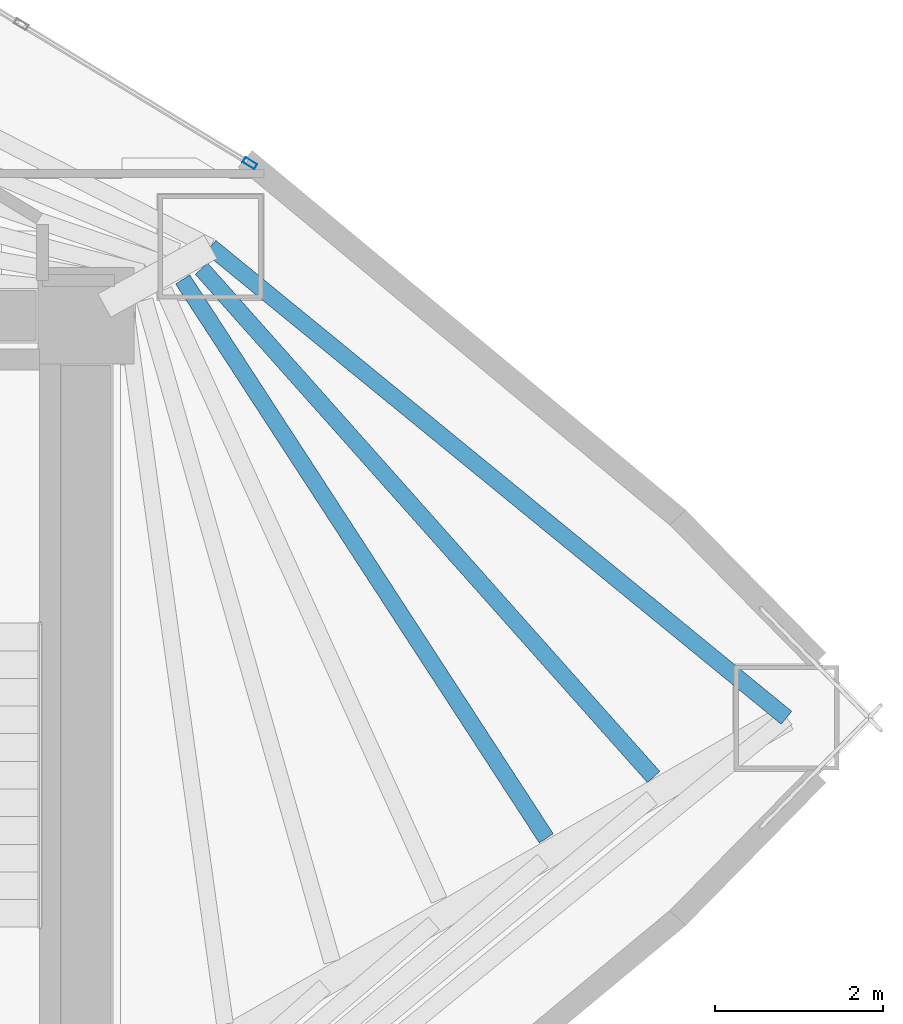
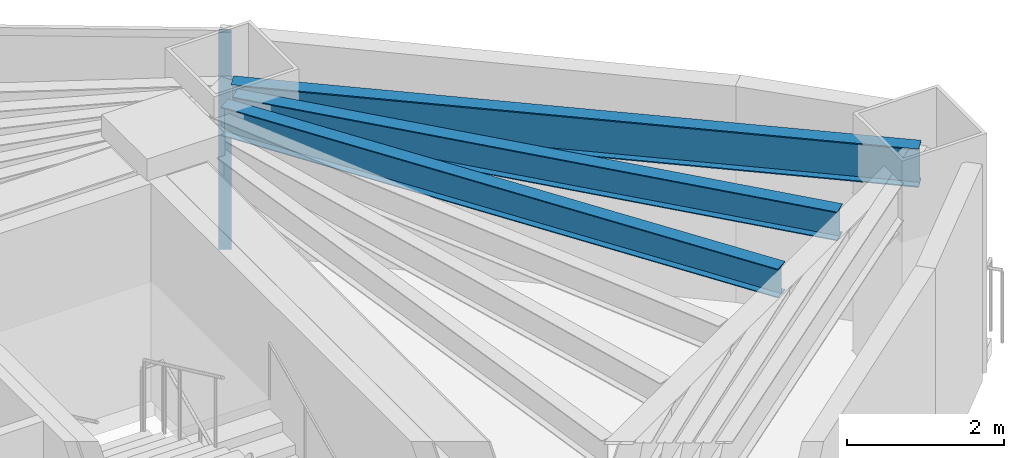
# One storey, part 10 of 16: 3 beams, 1 member, 1 element without a shape of its own.
"""IFC4 building model written with IfcOpenShell, lengths in metres."""

import ifcopenshell
import ifcopenshell.guid

model = None  # the IFC model being written
_history = None  # IfcOwnerHistory: only IFC2X3 demands one
_inside = {}  # id of a spatial element -> (the spatial element, [elements in it])
_under = {}  # id of a project, library or spatial element -> (it, [spatial elements below it])
_declared = {}  # id of a project -> (the project, [libraries it declares])
_typed = {}  # id of a type object -> (the type object, [elements of that type])
_made_of = {}  # id of a material, layer set ... -> (it, [elements and type objects made of it])


def new_model(schema):
    """Start an empty IFC model of exactly this schema.

    Asked for "IFC4X3", IfcOpenShell would pick the latest addendum, in which some entities
    have other attributes; the version numbers below select the first issue.
    IFC2X3 requires an IfcOwnerHistory on every rooted entity: one is made here for all.
    """
    global model, _history
    if schema == "IFC4X3":
        model = ifcopenshell.file(schema_version=(4, 3, 0, 0))
    else:
        model = ifcopenshell.file(schema=schema)
    _inside.clear()
    _under.clear()
    _declared.clear()
    _typed.clear()
    _made_of.clear()
    _history = None
    if model.schema == "IFC2X3":
        org = make("IfcOrganization", Name="unknown")
        user = make(
            "IfcPersonAndOrganization",
            ThePerson=make("IfcPerson", FamilyName="unknown"),
            TheOrganization=org,
        )
        app = make(
            "IfcApplication",
            ApplicationDeveloper=org,
            Version="unknown",
            ApplicationFullName="unknown",
            ApplicationIdentifier="unknown",
        )
        _history = make(
            "IfcOwnerHistory",
            OwningUser=user,
            OwningApplication=app,
            ChangeAction="ADDED",
            CreationDate=0,
        )
    return model


def make(cls, **values):
    """One entity of the class cls with the attributes given. An attribute that is None is left unset."""
    return model.create_entity(
        cls, **{name: value for name, value in values.items() if value is not None}
    )


def rooted(cls, **values):
    """An entity with a GlobalId (a new one), such as an element, a storey or a relation."""
    return make(cls, GlobalId=ifcopenshell.guid.new(), OwnerHistory=_history, **values)


def si_unit(unit_type, name, prefix=None):
    """IfcSIUnit, for example si_unit("LENGTHUNIT", "METRE", prefix="MILLI")."""
    return make("IfcSIUnit", UnitType=unit_type, Prefix=prefix, Name=name)


def assignment(units):
    """IfcUnitAssignment: the units of a project."""
    return None if units is None else make("IfcUnitAssignment", Units=units)


def point(xyz):
    """IfcCartesianPoint."""
    return None if xyz is None else make("IfcCartesianPoint", Coordinates=xyz)


def direction(xyz):
    """IfcDirection."""
    return None if xyz is None else make("IfcDirection", DirectionRatios=xyz)


def frame(location, z_axis=None, x_axis=None):
    """IfcAxis2Placement3D, a coordinate frame: its origin and axes. An axis left out is left unset."""
    return make(
        "IfcAxis2Placement3D",
        Location=point(location),
        Axis=direction(z_axis),
        RefDirection=direction(x_axis),
    )


def frame_2d(location, x_axis=None):
    """IfcAxis2Placement2D, a coordinate frame in the plane: its origin and x axis."""
    return make(
        "IfcAxis2Placement2D", Location=point(location), RefDirection=direction(x_axis)
    )


def origin():
    """The frame at (0, 0, 0) with its axes left unset."""
    return frame((0.0, 0.0, 0.0))


def origin_2d():
    """The frame at (0, 0) in the plane with its x axis left unset."""
    return frame_2d((0.0, 0.0))


def place(relative_to, where):
    """IfcLocalPlacement: puts the frame where relative to a parent placement (None: the world)."""
    return make(
        "IfcLocalPlacement", PlacementRelTo=relative_to, RelativePlacement=where
    )


def context(
    kind, dimensions, precision=None, world=None, true_north=None, identifier=None
):
    """IfcGeometricRepresentationContext, for example the 3D "Model" context."""
    return make(
        "IfcGeometricRepresentationContext",
        ContextIdentifier=identifier,
        ContextType=kind,
        CoordinateSpaceDimension=dimensions,
        Precision=precision,
        WorldCoordinateSystem=world,
        TrueNorth=true_north,
    )


def subcontext(parent, identifier, kind, view, scale=None):
    """IfcGeometricRepresentationSubContext, for example "Body" below "Model"."""
    return make(
        "IfcGeometricRepresentationSubContext",
        ContextIdentifier=identifier,
        ContextType=kind,
        ParentContext=parent,
        TargetScale=scale,
        TargetView=view,
    )


def project(units=None, contexts=None):
    """IfcProject with its units and contexts."""
    return rooted(
        "IfcProject",
        Name="project",
        RepresentationContexts=contexts,
        UnitsInContext=assignment(units),
    )


def spatial(cls, under=None, at=None, **own):
    """A site, building, storey or space (cls), placed at a placement, below another one or the project."""
    s = rooted(cls, ObjectPlacement=at, **own)
    if under is not None:
        _under.setdefault(under.id(), (under, []))[1].append(s)
    return s


def profile(cls, at=None, kind="AREA", **sizes):
    """A parametric profile (cls). Its sizes go by their IFC names, for example OverallWidth=200.0."""
    return make(cls, ProfileType=kind, Position=at, **sizes)


def hollow_rectangle(**sizes):
    """IfcRectangleHollowProfileDef."""
    return profile("IfcRectangleHollowProfileDef", **sizes)


def i_section(**sizes):
    """IfcIShapeProfileDef."""
    return profile("IfcIShapeProfileDef", **sizes)


def extrude(swept, where, along, depth):
    """IfcExtrudedAreaSolid: the profile swept, set in the frame where, extruded along a direction by depth."""
    return make(
        "IfcExtrudedAreaSolid",
        SweptArea=swept,
        Position=where,
        ExtrudedDirection=direction(along),
        Depth=depth,
    )


def shape(context_of_items, identifier, shape_type, items):
    """IfcShapeRepresentation: the items that make up one representation, for example the "Body"."""
    return make(
        "IfcShapeRepresentation",
        ContextOfItems=context_of_items,
        RepresentationIdentifier=identifier,
        RepresentationType=shape_type,
        Items=items,
    )


def material(Name=None, Category=None):
    """IfcMaterial."""
    return make("IfcMaterial", Name=Name, Category=Category)


def layer(
    of_material, thickness, ventilated=None, Name=None, Category=None, Priority=None
):
    """IfcMaterialLayer: one layer of a wall or slab, of a material (None: an air gap)."""
    return make(
        "IfcMaterialLayer",
        Material=of_material,
        LayerThickness=thickness,
        IsVentilated=ventilated,
        Name=Name,
        Category=Category,
        Priority=Priority,
    )


def layer_set(layers, Name=None):
    """IfcMaterialLayerSet."""
    return make("IfcMaterialLayerSet", MaterialLayers=layers, LayerSetName=Name)


def material_profile(
    of_material, cross_section, Name=None, Category=None, Priority=None
):
    """IfcMaterialProfile: a cross section and its material."""
    return make(
        "IfcMaterialProfile",
        Name=Name,
        Material=of_material,
        Profile=cross_section,
        Priority=Priority,
        Category=Category,
    )


def profile_set(profiles, Name=None, composite=None):
    """IfcMaterialProfileSet."""
    return make(
        "IfcMaterialProfileSet",
        Name=Name,
        MaterialProfiles=profiles,
        CompositeProfile=composite,
    )


def made_of(thing, what):
    """Note that an element or type object is made of a material, layer set ...; save() writes the relation."""
    if what is not None:
        _made_of.setdefault(what.id(), (what, []))[1].append(thing)
    return thing


def type_object(cls, material=None, **own):
    """A type object (cls), such as IfcWallType, which elements share."""
    return made_of(rooted(cls, **own), material)


def element(
    cls,
    number,
    at=None,
    inside=None,
    cuts=None,
    type_object=None,
    material=None,
    context=None,
    identifier="Body",
    shape_type=None,
    held_by="IfcProductDefinitionShape",
    body=None,
    shapes=None,
    **own,
):
    """One element of the class cls, such as IfcWall. Its Tag is "e" and its number.

    at: its placement. inside: the storey or other place that contains it. cuts: it is an
    opening in that element (IfcRelVoidsElement). A single representation is given by context,
    identifier, shape_type and body (its items); several are given by shapes. held_by: the class
    of the entity that holds the representations. save() writes the other relations.
    """
    e = rooted(cls, Tag="e%d" % number, ObjectPlacement=at, **own)
    if body is not None:
        shapes = [shape(context, identifier, shape_type, body)]
    if shapes is not None:
        e.Representation = make(held_by, Representations=shapes)
    if inside is not None:
        _inside.setdefault(inside.id(), (inside, []))[1].append(e)
    if cuts is not None:
        rooted(
            "IfcRelVoidsElement", RelatingBuildingElement=cuts, RelatedOpeningElement=e
        )
    if type_object is not None:
        _typed.setdefault(type_object.id(), (type_object, []))[1].append(e)
    return made_of(e, material)


def aggregate(whole, parts):
    """IfcRelAggregates: a whole, such as a stair, and the parts it consists of."""
    return rooted("IfcRelAggregates", RelatingObject=whole, RelatedObjects=parts)


def save(model, path):
    """Write the relations noted so far, then the file.

    IfcRelAggregates (storeys below a building ...), IfcRelContainedInSpatialStructure (elements
    in a storey), IfcRelDefinesByType, IfcRelAssociatesMaterial and IfcRelDeclares: one each for
    every whole, place, type object, material and project.
    """
    for whole, parts in _under.values():
        aggregate(whole, parts)
    for where, things in _inside.values():
        rooted(
            "IfcRelContainedInSpatialStructure",
            RelatedElements=things,
            RelatingStructure=where,
        )
    for kind, things in _typed.values():
        rooted("IfcRelDefinesByType", RelatedObjects=things, RelatingType=kind)
    for what, things in _made_of.values():
        rooted("IfcRelAssociatesMaterial", RelatedObjects=things, RelatingMaterial=what)
    for by, libraries in _declared.values():
        rooted("IfcRelDeclares", RelatingContext=by, RelatedDefinitions=libraries)
    model.write(path)


model = new_model("IFC4")

# Units and contexts
model_context = context("Model", 3, precision=1e-05, world=origin(), true_north=direction((0.0, 1.0)))
body_context = subcontext(model_context, "Body", "Model", "MODEL_VIEW")
ifc_project = project(units=[si_unit("LENGTHUNIT", "METRE"), si_unit("AREAUNIT", "SQUARE_METRE"), si_unit("VOLUMEUNIT", "CUBIC_METRE"), si_unit("PLANEANGLEUNIT", "RADIAN"), si_unit("MASSUNIT", "GRAM", prefix="KILO")], contexts=[model_context])

# Site, building, storey
site_placement = place(None, origin())
site = spatial("IfcSite", under=ifc_project, at=site_placement, CompositionType="ELEMENT")
building_placement = place(site_placement, origin())
building = spatial("IfcBuilding", under=site, at=building_placement, Name="Menara Vayukalpa", CompositionType="ELEMENT")
storey_placement = place(building_placement, frame((0.0, 0.0, 79.679931640625)))
storey = spatial("IfcBuildingStorey", under=building, at=storey_placement, Name="L19", CompositionType="ELEMENT", Elevation=79.679931640625)

# Beams
ifc_material_1 = material(Name="Steel S355", Category="steel")
ifc_material_profile_1 = material_profile(ifc_material_1, i_section(OverallWidth=0.199951171875, OverallDepth=0.449951171875, WebThickness=0.009033203125, FlangeThickness=0.013916015625, at=origin_2d()), Name="WF 450x200x9x14")
ifc_profile_set_1 = profile_set([ifc_material_profile_1], Name="Steel S355")
beam_type_1 = type_object("IfcBeamType", Name="BM-SJ1", PredefinedType="JOIST", material=ifc_profile_set_1)
beam_1_placement = place(storey_placement, frame((38.894287109375, 20.561279296875, 3.155029296875), z_axis=(-0.545357035492, 0.838203855777, 0.0), x_axis=(-0.838203855777, -0.545357035492, 0.0)))
element("IfcBeam", 1, at=beam_1_placement, inside=storey, type_object=beam_type_1, Name="L19 Secondary Floor Joist SJ01-4", PredefinedType="JOIST", context=body_context, shape_type="SweptSolid", body=[
    extrude(i_section(OverallWidth=0.199951171875, OverallDepth=0.449951171875, WebThickness=0.009033203125, FlangeThickness=0.013916015625, at=origin_2d()), origin(), (0.0, 0.0, 1.0), 7.959228515625),
])
beam_2_placement = place(storey_placement, frame((40.176025390625, 21.29296875, 3.155029296875), z_axis=(-0.664626886511, 0.747175415633, 0.0), x_axis=(-0.747175415633, -0.664626886511, 0.0)))
element("IfcBeam", 2, at=beam_2_placement, inside=storey, type_object=beam_type_1, Name="L19 Secondary Floor Joist SJ01-5", PredefinedType="JOIST", context=body_context, shape_type="SweptSolid", body=[
    extrude(i_section(OverallWidth=0.199951171875, OverallDepth=0.449951171875, WebThickness=0.009033203125, FlangeThickness=0.013916015625, at=origin_2d()), origin(), (0.0, 0.0, 1.0), 8.121337890625),
])
ifc_material_2 = material(Name="Steel S355", Category="steel")
ifc_material_profile_2 = material_profile(ifc_material_2, i_section(OverallWidth=0.199951171875, OverallDepth=0.60009765625, WebThickness=0.010986328125, FlangeThickness=0.01708984375, at=origin_2d()), Name="WF 600x200x11x17")
ifc_profile_set_2 = profile_set([ifc_material_profile_2], Name="Steel S355")
beam_type_2 = type_object("IfcBeamType", Name="BM-SP1", PredefinedType="SPANDREL", material=ifc_profile_set_2)
beam_3_placement = place(storey_placement, frame((41.761962890625, 22.0, 3.080078125), z_axis=(-0.774156906301, 0.632993747541, 0.0), x_axis=(-0.632993747541, -0.774156906301, 0.0)))
element("IfcBeam", 3, at=beam_3_placement, inside=storey, type_object=beam_type_2, Name="L19 Perimeter Spandrel Beam SP01", PredefinedType="SPANDREL", context=body_context, shape_type="SweptSolid", body=[
    extrude(i_section(OverallWidth=0.199951171875, OverallDepth=0.60009765625, WebThickness=0.010986328125, FlangeThickness=0.01708984375, at=origin_2d()), origin(), (0.0, 0.0, 1.0), 8.880859375),
])

# Curtain wall, member
ifc_material_3 = material(Name="Anodised Terracotta Aluminium Alloy 6063-T6", Category="masonry")
ifc_layer = layer(ifc_material_3, 0.1650390625)
ifc_layer_set = layer_set([ifc_layer], Name="Anodised Terracotta Aluminium Alloy 6063-T6")
curtain_wall_type = type_object("IfcCurtainWallType", Name="CW-CW2", PredefinedType="USERDEFINED", material=ifc_layer_set)
curtain_wall_placement = place(storey_placement, origin())
curtain_wall = element("IfcCurtainWall", 4, at=curtain_wall_placement, inside=storey, type_object=curtain_wall_type, Name="L19 Low Rise Terracotta Ribbon Curtain Wall CW2 04", ObjectType="UNITISED", PredefinedType="USERDEFINED")
ifc_material_4 = material(Name="Anodised Terracotta Aluminium Alloy 6063-T6", Category="masonry")
ifc_material_profile_3 = material_profile(ifc_material_4, hollow_rectangle(XDim=0.070068359375, YDim=0.1650390625, WallThickness=0.00390625, at=origin_2d()), Name="ALU 70x165x4")
ifc_profile_set_3 = profile_set([ifc_material_profile_3], Name="Anodised Terracotta Aluminium Alloy 6063-T6")
member_type = type_object("IfcMemberType", Name="CWM-CW2", PredefinedType="MULLION", material=ifc_profile_set_3)
member_placement = place(storey_placement, frame((35.356201171875, 28.6201171875, 0.0), z_axis=(0.0, 0.0, 1.0), x_axis=(-0.519182959112, -0.854663123674, 0.0)))
member = element("IfcMember", 5, at=member_placement, type_object=member_type, Name="CW2 mullion 1", PredefinedType="MULLION", context=body_context, shape_type="SweptSolid", body=[
    extrude(hollow_rectangle(XDim=0.070068359375, YDim=0.1650390625, WallThickness=0.00390625, at=origin_2d()), origin(), (0.0, 0.0, 1.0), 3.380126953125),
])
aggregate(curtain_wall, [member])

save(model, "model.ifc")
